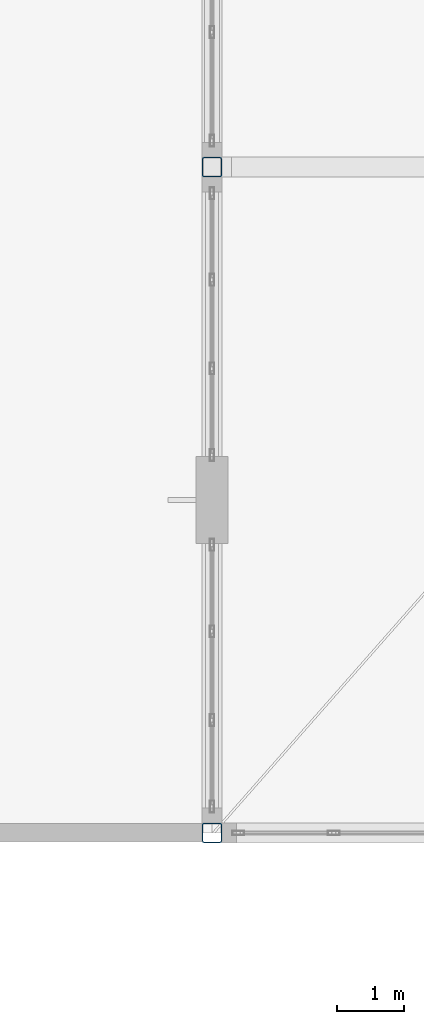
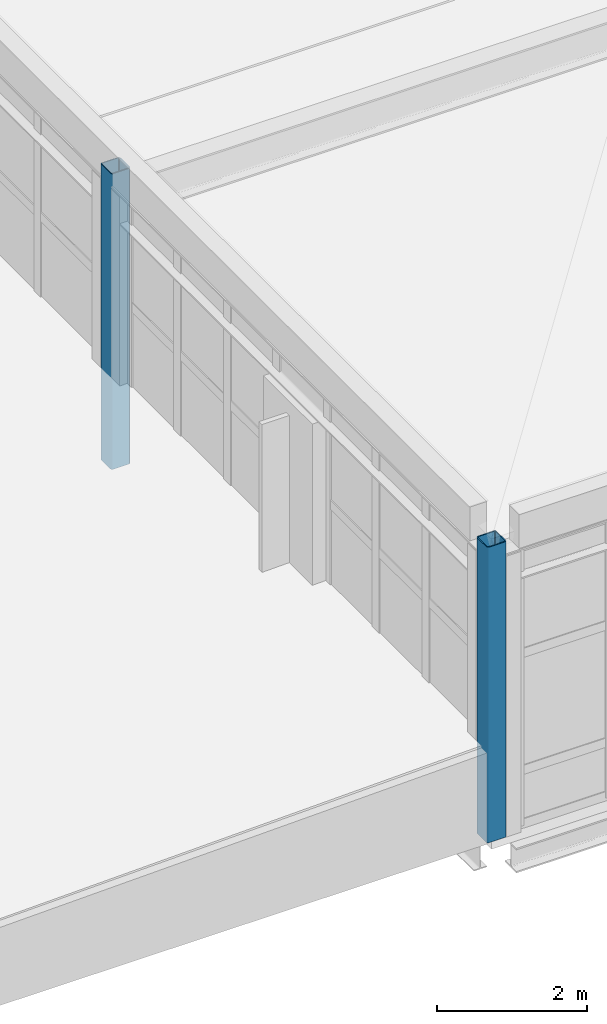
# One storey, part 1 of 86: 2 columns.
"""IFC4 building model written with IfcOpenShell, lengths in metres."""

from ifc_helpers import new_model, si_unit, direction, frame, origin, origin_2d, place, context, subcontext, project, spatial, hollow_rectangle, extrude, material, material_profile, profile_set, type_object, element, save


model = new_model("IFC4")

# Units and contexts
model_context = context("Model", 3, precision=1e-05, world=origin(), true_north=direction((0.0, 1.0)))
body_context = subcontext(model_context, "Body", "Model", "MODEL_VIEW")
ifc_project = project(units=[si_unit("LENGTHUNIT", "METRE"), si_unit("AREAUNIT", "SQUARE_METRE"), si_unit("VOLUMEUNIT", "CUBIC_METRE"), si_unit("PLANEANGLEUNIT", "RADIAN"), si_unit("MASSUNIT", "GRAM", prefix="KILO")], contexts=[model_context])

# Site, building, storey
site_placement = place(None, origin())
site = spatial("IfcSite", under=ifc_project, at=site_placement, CompositionType="ELEMENT")
building_placement = place(site_placement, origin())
building = spatial("IfcBuilding", under=site, at=building_placement, Name="Tasgan Crest Museum", CompositionType="ELEMENT")
storey_placement = place(building_placement, frame((0.0, 0.0, 24.0)))
storey = spatial("IfcBuildingStorey", under=building, at=storey_placement, Name="L04", CompositionType="ELEMENT", Elevation=24.0)

# Columns
ifc_material = material(Name="Steel S355K2", Category="steel")
ifc_material_profile = material_profile(ifc_material, hollow_rectangle(XDim=0.300048828125, YDim=0.300048828125, WallThickness=0.01611328125, InnerFilletRadius=0.01611328125, OuterFilletRadius=0.031982421875, at=origin_2d()), Name="SHS 300x300x16")
ifc_profile_set = profile_set([ifc_material_profile], Name="Steel S355K2")
column_type = type_object("IfcColumnType", Name="COL-SHS300", PredefinedType="COLUMN", material=ifc_profile_set)
for number, where, z_axis, x_axis, name in (
    (1, (54.0, 40.0, 0.0), (0.0, 0.0, 1.0), (1.0, 0.0, 0.0), "Column 6/E L04"),
    (2, (54.0, 50.0, 0.0), (0.0, 0.0, 1.0), (1.0, 0.0, 0.0), "Column 6/F L04"),
):
    element("IfcColumn", number, at=place(storey_placement, frame(where, z_axis=z_axis, x_axis=x_axis)), inside=storey, type_object=column_type, Name=name, PredefinedType="COLUMN", context=body_context, shape_type="SweptSolid", body=[
        extrude(hollow_rectangle(XDim=0.300048828125, YDim=0.300048828125, WallThickness=0.01611328125, InnerFilletRadius=0.01611328125, OuterFilletRadius=0.031982421875, at=origin_2d()), origin(), (0.0, 0.0, 1.0), 4.800048828125),
    ])

save(model, "model.ifc")
